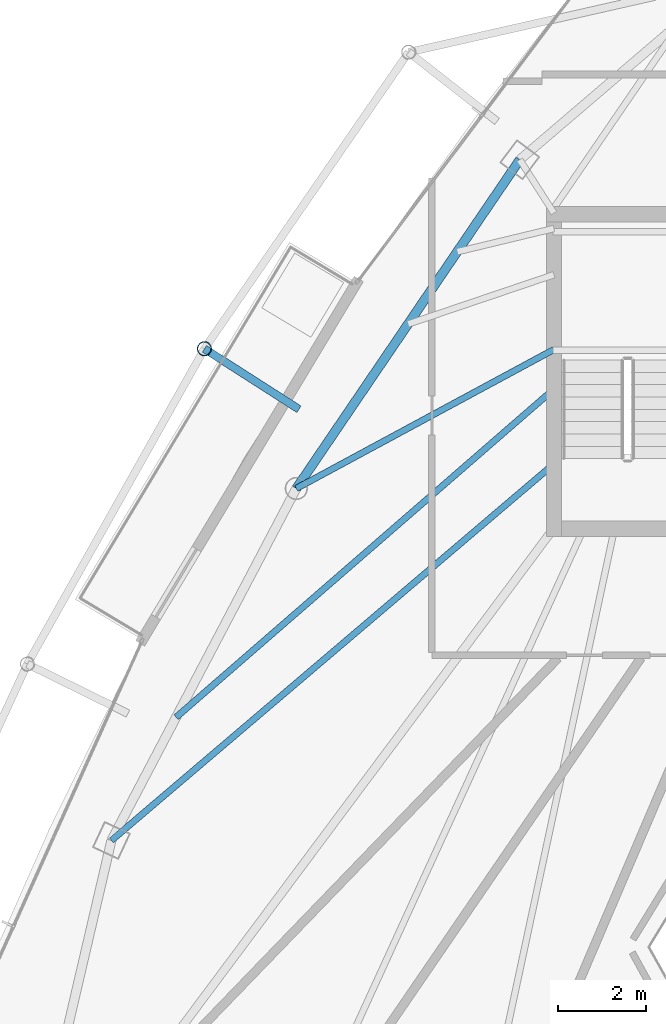
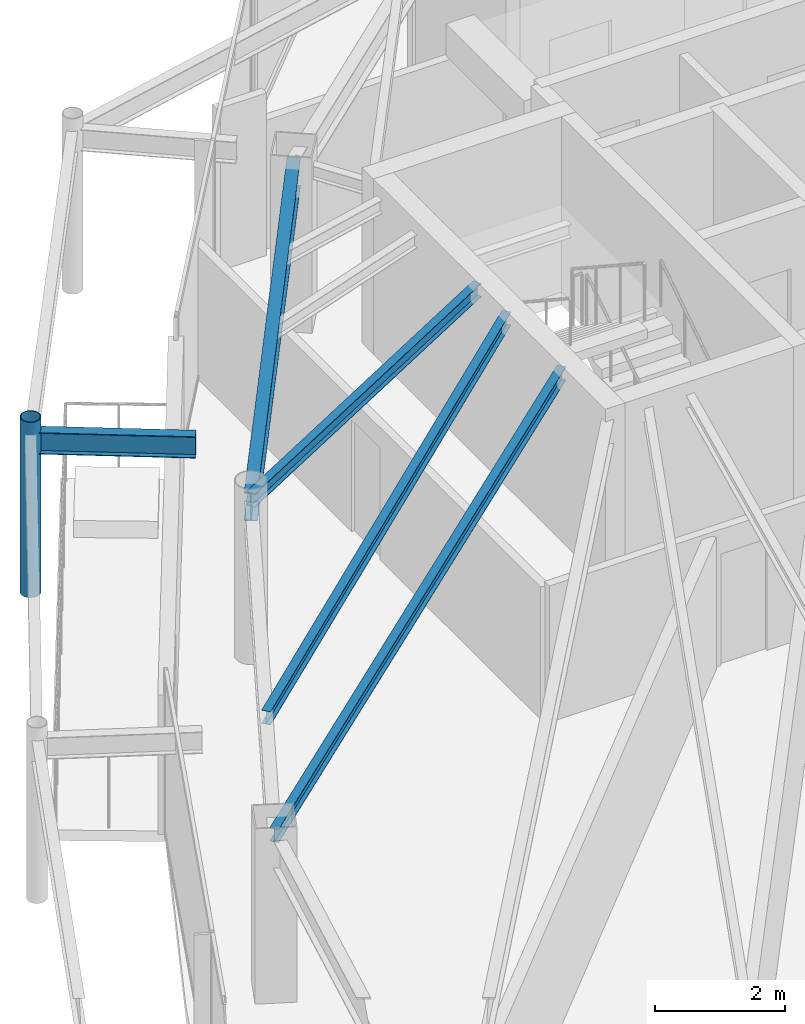
# One storey, part 11 of 28: 5 beams, 1 member.
"""IFC4 building model written with IfcOpenShell, lengths in metres."""

from ifc_helpers import new_model, si_unit, direction, frame, origin, origin_2d, place, context, subcontext, project, spatial, hollow_circle, i_section, extrude, material, material_profile, profile_set, type_object, element, save


model = new_model("IFC4")

# Units and contexts
model_context = context("Model", 3, precision=1e-05, world=origin(), true_north=direction((0.0, 1.0)))
body_context = subcontext(model_context, "Body", "Model", "MODEL_VIEW")
ifc_project = project(units=[si_unit("LENGTHUNIT", "METRE"), si_unit("AREAUNIT", "SQUARE_METRE"), si_unit("VOLUMEUNIT", "CUBIC_METRE"), si_unit("PLANEANGLEUNIT", "RADIAN"), si_unit("MASSUNIT", "GRAM", prefix="KILO")], contexts=[model_context])

# Site, building, storey
site_placement = place(None, origin())
site = spatial("IfcSite", under=ifc_project, at=site_placement, CompositionType="ELEMENT")
building_placement = place(site_placement, origin())
building = spatial("IfcBuilding", under=site, at=building_placement, Name="Orvanel Arch Residences", CompositionType="ELEMENT")
storey_placement = place(building_placement, frame((0.0, 0.0, 260.14990234375)))
storey = spatial("IfcBuildingStorey", under=building, at=storey_placement, Name="L74", CompositionType="ELEMENT", Elevation=260.14990234375)

# Beams
ifc_material_1 = material(Name="Structural steel AS/NZS 3679.1 Grade 300 (300 MPa)", Category="steel")
ifc_material_profile_1 = material_profile(ifc_material_1, i_section(OverallWidth=0.14599609375, OverallDepth=0.251953125, WebThickness=0.006103515625, FlangeThickness=0.008544921875, at=origin_2d()), Name="250UB31.4")
ifc_profile_set_1 = profile_set([ifc_material_profile_1], Name="Structural steel AS/NZS 3679.1 Grade 300 (300 MPa)")
beam_type_1 = type_object("IfcBeamType", Name="BJ-250UB", PredefinedType="JOIST", material=ifc_profile_set_1)
beam_1_placement = place(storey_placement, frame((26.425048828125, 30.800048828125, 2.93408203125), z_axis=(-0.880111494021, -0.474767056664, 0.0), x_axis=(0.474767056664, -0.880111494021, 0.0)))
element("IfcBeam", 1, at=beam_1_placement, inside=storey, type_object=beam_type_1, Name="L74 NW Wing Floor Joist", PredefinedType="JOIST", context=body_context, shape_type="SweptSolid", body=[
    extrude(i_section(OverallWidth=0.14599609375, OverallDepth=0.251953125, WebThickness=0.006103515625, FlangeThickness=0.008544921875, at=origin_2d()), origin(), (0.0, 0.0, 1.0), 6.653564453125),
])
beam_2_placement = place(storey_placement, frame((26.425048828125, 28.199951171875, 2.93408203125), z_axis=(-0.761622669031, -0.64802076357, 0.0), x_axis=(0.64802076357, -0.761622669031, 0.0)))
element("IfcBeam", 2, at=beam_2_placement, inside=storey, type_object=beam_type_1, Name="L74 W Wing Floor Joist", PredefinedType="JOIST", context=body_context, shape_type="SweptSolid", body=[
    extrude(i_section(OverallWidth=0.14599609375, OverallDepth=0.251953125, WebThickness=0.006103515625, FlangeThickness=0.008544921875, at=origin_2d()), origin(), (0.0, 0.0, 1.0), 13.2060546875),
])
beam_3_placement = place(storey_placement, frame((26.425048828125, 29.89990234375, 2.93408203125), z_axis=(-0.755000957585, -0.655723687269, 0.0), x_axis=(0.655723687269, -0.755000957585, 0.0)))
element("IfcBeam", 3, at=beam_3_placement, inside=storey, type_object=beam_type_1, Name="L74 CTW Wing Floor Joist", PredefinedType="JOIST", context=body_context, shape_type="SweptSolid", body=[
    extrude(i_section(OverallWidth=0.14599609375, OverallDepth=0.251953125, WebThickness=0.006103515625, FlangeThickness=0.008544921875, at=origin_2d()), origin(), (0.0, 0.0, 1.0), 11.373779296875),
])
ifc_material_profile_2 = material_profile(ifc_material_1, i_section(OverallWidth=0.177978515625, OverallDepth=0.406005859375, WebThickness=0.0078125, FlangeThickness=0.0126953125, at=origin_2d()), Name="410UB59.7")
ifc_profile_set_2 = profile_set([ifc_material_profile_2], Name="Structural steel AS/NZS 3679.1 Grade 300 (300 MPa)")
beam_type_2 = type_object("IfcBeamType", Name="OB-410UB-EXT", PredefinedType="SPANDREL", material=ifc_profile_set_2)
beam_4_placement = place(storey_placement, frame((20.62890625, 29.44189453125, 2.857177734375), z_axis=(-0.84221576305, 0.539140620311, 0.0), x_axis=(-0.539140620311, -0.84221576305, 0.0)))
element("IfcBeam", 4, at=beam_4_placement, inside=storey, type_object=beam_type_2, Name="L74 Outer Frame Radial Tie Beam 02", PredefinedType="SPANDREL", context=body_context, shape_type="SweptSolid", body=[
    extrude(i_section(OverallWidth=0.177978515625, OverallDepth=0.406005859375, WebThickness=0.0078125, FlangeThickness=0.0126953125, at=origin_2d()), origin(), (0.0, 0.0, 1.0), 2.55029296875),
])
ifc_material_profile_3 = material_profile(ifc_material_1, i_section(OverallWidth=0.208984375, OverallDepth=0.532958984375, WebThickness=0.01025390625, FlangeThickness=0.015625, at=origin_2d()), Name="530UB92.4")
ifc_profile_set_3 = profile_set([ifc_material_profile_3], Name="Structural steel AS/NZS 3679.1 Grade 300 (300 MPa)")
beam_type_3 = type_object("IfcBeamType", Name="SP-530UB", PredefinedType="SPANDREL", material=ifc_profile_set_3)
beam_5_placement = place(storey_placement, frame((25.64794921875, 35.113037109375, 2.793212890625), z_axis=(-0.562154793153, -0.827032035978, 0.0), x_axis=(0.827032035978, -0.562154793153, 0.0)))
element("IfcBeam", 5, at=beam_5_placement, inside=storey, type_object=beam_type_3, Name="L74 Perimeter Spandrel Beam 11", PredefinedType="SPANDREL", context=body_context, shape_type="SweptSolid", body=[
    extrude(i_section(OverallWidth=0.208984375, OverallDepth=0.532958984375, WebThickness=0.01025390625, FlangeThickness=0.015625, at=origin_2d()), origin(), (0.0, 0.0, 1.0), 9.03466796875),
])

# Member
ifc_material_2 = material(Name="Structural steel AS/NZS 1163 C350L0 (Grade 350)", Category="steel")
ifc_material_profile_4 = material_profile(ifc_material_2, hollow_circle(Radius=0.162109375, WallThickness=0.0126953125, at=origin_2d()), Name="CHS324x12.7")
ifc_profile_set_4 = profile_set([ifc_material_profile_4], Name="Structural steel AS/NZS 1163 C350L0 (Grade 350)")
member_type = type_object("IfcMemberType", Name="ST-324CHS-EXT", PredefinedType="STRUT", material=ifc_profile_set_4)
member_placement = place(storey_placement, frame((18.48095703125, 30.81689453125, 0.0), z_axis=(0.0, 0.0, 1.0), x_axis=(1.0, 0.0, 0.0)))
element("IfcMember", 6, at=member_placement, inside=storey, type_object=member_type, Name="L74 Outer Perimeter Frame Post 02", PredefinedType="STRUT", context=body_context, shape_type="SweptSolid", body=[
    extrude(hollow_circle(Radius=0.162109375, WallThickness=0.0126953125, at=origin_2d()), origin(), (0.0, 0.0, 1.0), 3.300048828125),
])

save(model, "model.ifc")
